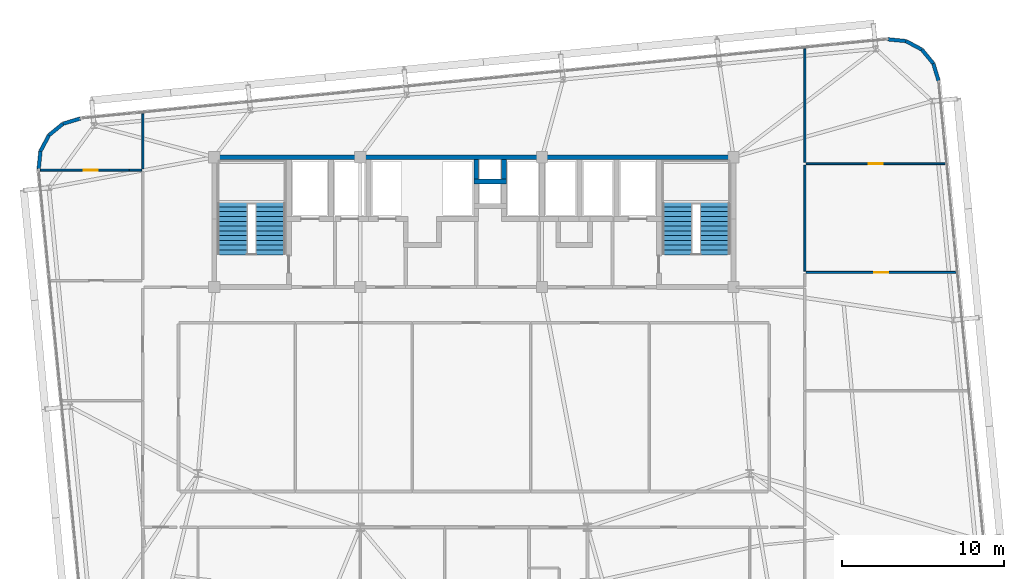
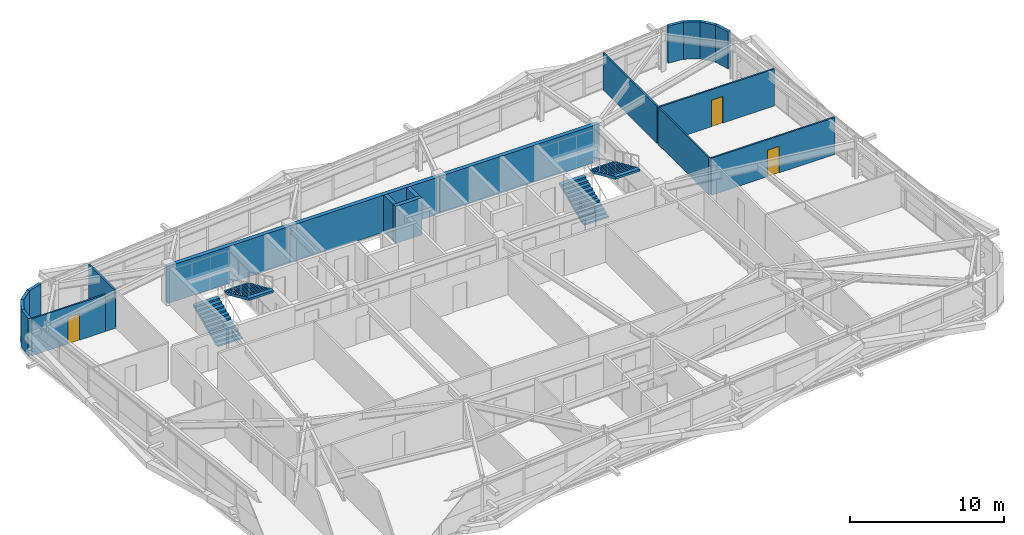
# One storey, part 49 of 52: 21 walls, 4 stair flights, 3 doors, 3 openings, 2 elements without a shape of their own.
"""IFC4 building model written with IfcOpenShell, lengths in metres."""

from ifc_helpers import new_model, si_unit, direction, frame, frame_2d, origin, place, context, subcontext, project, spatial, polyline, rectangle, outline, extrude, source, transform, mapped, material, layer, layer_set, type_object, element, fill, aggregate, save


model = new_model("IFC4")

# Units and contexts
model_context = context("Model", 3, precision=1e-05, world=origin(), true_north=direction((0.0, 1.0)))
body_context = subcontext(model_context, "Body", "Model", "MODEL_VIEW")
ifc_project = project(units=[si_unit("LENGTHUNIT", "METRE"), si_unit("AREAUNIT", "SQUARE_METRE"), si_unit("VOLUMEUNIT", "CUBIC_METRE"), si_unit("PLANEANGLEUNIT", "RADIAN"), si_unit("MASSUNIT", "GRAM", prefix="KILO")], contexts=[model_context])

# Site, building, storey
site_placement = place(None, origin())
site = spatial("IfcSite", under=ifc_project, at=site_placement, CompositionType="ELEMENT")
building_placement = place(site_placement, origin())
building = spatial("IfcBuilding", under=site, at=building_placement, Name="Taldren Reach Tower", CompositionType="ELEMENT")
storey_placement = place(building_placement, frame((0.0, 0.0, 96.60009765625)))
storey = spatial("IfcBuildingStorey", under=building, at=storey_placement, Name="L29", CompositionType="ELEMENT", Elevation=96.60009765625)

# Walls
ifc_material_1 = material(Name="Pale Champagne Anodised Aluminium Cladding", Category="aluminium")
ifc_layer_1 = layer(ifc_material_1, 0.04, Name="Pale Champagne Anodised Aluminium Cladding", Category="aluminium")
ifc_material_2 = material(Name="Mineral Wool Acoustic Insulation", Category="insulation")
ifc_layer_2 = layer(ifc_material_2, 0.06, Name="Mineral Wool Acoustic Insulation", Category="insulation")
ifc_material_3 = material(Name="Steel Gr 350 (C350L0)", Category="steel")
ifc_layer_3 = layer(ifc_material_3, 0.12, Name="Steel Gr 350 (C350L0)", Category="steel")
ifc_layer_set_1 = layer_set([ifc_layer_1, ifc_layer_2, ifc_layer_3], Name="Pale Champagne Aluminium Cladding and Steel Gr 350 Stud Framing")
wall_type_1 = type_object("IfcWallType", Name="EW-CRN-220", PredefinedType="SOLIDWALL", material=ifc_layer_set_1)
shared_shape_1 = source(origin(), body_context, "Body", "SweptSolid", [
    extrude(rectangle(XDim=1.115966796875, YDim=0.219970703125, at=frame_2d((0.55810546875, 0.0))), origin(), (0.0, 0.0, 1.0), 2.929931640625),
])
for number, where, z_axis, x_axis, name in (
    (1, (63.6376953125, 36.6982421875, 0.0), (0.0, 0.0, 1.0), (-0.289855603468, 0.957070388811, 0.0), "Rounded-corner pale-metal facade wall L29-NE1"),
    (2, (62.606689453125, 38.629150390625, 0.0), (0.0, 0.0, 1.0), (-0.881655534635, 0.471893545461, 0.0), "Rounded-corner pale-metal facade wall L29-NE3"),
    (3, (61.622802734375, 39.15576171875, 0.0), (0.0, 0.0, 1.0), (-0.995142755671, 0.09844234778, 0.0), "Rounded-corner pale-metal facade wall L29-NE4"),
    (4, (10.7509765625, 34.386474609375, 0.0), (0.0, 0.0, 1.0), (-0.957070388811, -0.289855603468, 0.0), "Rounded-corner pale-metal facade wall L29-NW1"),
):
    element("IfcWall", number, at=place(storey_placement, frame(where, z_axis=z_axis, x_axis=x_axis)), inside=storey, type_object=wall_type_1, Name=name, PredefinedType="SOLIDWALL", context=body_context, shape_type="MappedRepresentation", body=[
        mapped(shared_shape_1, transform((0.0, 0.0, 0.0), scale=1.0)),
    ])
shared_shape_2 = source(origin(), body_context, "Body", "SweptSolid", [
    extrude(rectangle(XDim=1.11572265625, YDim=0.219970703125, at=frame_2d((0.557861328125, 0.0))), origin(), (0.0, 0.0, 1.0), 2.929931640625),
])
for number, where, z_axis, x_axis, name in (
    (5, (63.314208984375, 37.766357421875, 0.0), (0.0, 0.0, 1.0), (-0.634095287989, 0.773254916409, 0.0), "Rounded-corner pale-metal facade wall L29-NE2"),
    (6, (9.682861328125, 34.06298828125, 0.0), (0.0, 0.0, 1.0), (-0.773254916409, -0.634095287989, 0.0), "Rounded-corner pale-metal facade wall L29-NW2"),
    (7, (8.29345703125, 32.371337890625, 0.0), (0.0, 0.0, 1.0), (-0.098463783145, -0.99514063499, 0.0), "Rounded-corner pale-metal facade wall L29-NW4"),
):
    element("IfcWall", number, at=place(storey_placement, frame(where, z_axis=z_axis, x_axis=x_axis)), inside=storey, type_object=wall_type_1, Name=name, PredefinedType="SOLIDWALL", context=body_context, shape_type="MappedRepresentation", body=[
        mapped(shared_shape_2, transform((0.0, 0.0, 0.0), scale=1.0)),
    ])
shared_shape_3 = source(origin(), body_context, "Body", "SweptSolid", [
    extrude(rectangle(XDim=1.1162109375, YDim=0.219970703125, at=frame_2d((0.55810546875, 0.0))), origin(), (0.0, 0.0, 1.0), 2.929931640625),
])
wall_1_placement = place(storey_placement, frame((8.820068359375, 33.35546875, 0.0), z_axis=(0.0, 0.0, 1.0), x_axis=(-0.471802540493, -0.881704237704, 0.0)))
element("IfcWall", 8, at=wall_1_placement, inside=storey, type_object=wall_type_1, Name="Rounded-corner pale-metal facade wall L29-NW3", PredefinedType="SOLIDWALL", context=body_context, shape_type="MappedRepresentation", body=[
    mapped(shared_shape_3, transform((0.0, 0.0, 0.0), scale=1.0)),
])
ifc_material_4 = material(Name="Concrete S65 (65 MPa)", Category="concrete")
ifc_layer_4 = layer(ifc_material_4, 0.300048828125)
ifc_layer_set_2 = layer_set([ifc_layer_4], Name="Concrete S65 (65 MPa)")
wall_type_2 = type_object("IfcWallType", Name="IW-CORE-300", PredefinedType="SHEAR", material=ifc_layer_set_2)
shared_shape_4 = source(origin(), body_context, "Body", "SweptSolid", [
    extrude(rectangle(XDim=9.14990234375, YDim=0.300048828125, at=frame_2d((4.574951171875, 0.0))), origin(), (0.0, 0.0, 1.0), 2.929931640625),
])
wall_2_placement = place(storey_placement, frame((18.85009765625, 32.0, 0.0), z_axis=(0.0, 0.0, 1.0), x_axis=(1.0, 0.0, 0.0)))
element("IfcWall", 9, at=wall_2_placement, inside=storey, type_object=wall_type_2, Name="Rear Core Shear Wall W-CORE-L29-NORTH1", PredefinedType="SHEAR", context=body_context, shape_type="MappedRepresentation", body=[
    mapped(shared_shape_4, transform((0.0, 0.0, 0.0), scale=1.0)),
])
shared_shape_5 = source(origin(), body_context, "Body", "SweptSolid", [
    extrude(rectangle(XDim=11.199951171875, YDim=0.300048828125, at=frame_2d((5.60009765625, 0.0))), origin(), (0.0, 0.0, 1.0), 2.929931640625),
])
wall_3_placement = place(storey_placement, frame((28.0, 32.0, 0.0), z_axis=(0.0, 0.0, 1.0), x_axis=(1.0, 0.0, 0.0)))
element("IfcWall", 10, at=wall_3_placement, inside=storey, type_object=wall_type_2, Name="Rear Core Shear Wall W-CORE-L29-NORTH2", PredefinedType="SHEAR", context=body_context, shape_type="MappedRepresentation", body=[
    mapped(shared_shape_5, transform((0.0, 0.0, 0.0), scale=1.0)),
])
shared_shape_6 = source(origin(), body_context, "Body", "SweptSolid", [
    extrude(rectangle(XDim=11.949951171875, YDim=0.300048828125, at=frame_2d((5.97509765625, 0.0))), origin(), (0.0, 0.0, 1.0), 2.929931640625),
])
wall_4_placement = place(storey_placement, frame((39.199951171875, 32.0, 0.0), z_axis=(0.0, 0.0, 1.0), x_axis=(1.0, 0.0, 0.0)))
element("IfcWall", 11, at=wall_4_placement, inside=storey, type_object=wall_type_2, Name="Rear Core Shear Wall W-CORE-L29-NORTH3", PredefinedType="SHEAR", context=body_context, shape_type="MappedRepresentation", body=[
    mapped(shared_shape_6, transform((0.0, 0.0, 0.0), scale=1.0)),
])
shared_shape_7 = source(origin(), body_context, "Body", "SweptSolid", [
    extrude(rectangle(XDim=2.0, YDim=0.300048828125, at=frame_2d((1.0, 0.0))), origin(), (0.0, 0.0, 1.0), 2.929931640625),
])
wall_5_placement = place(storey_placement, frame((35.0, 30.5, 0.0), z_axis=(0.0, 0.0, 1.0), x_axis=(1.0, 0.0, 0.0)))
element("IfcWall", 12, at=wall_5_placement, inside=storey, type_object=wall_type_2, Name="Rear Core Shear Wall W-INT-L29-015", PredefinedType="SHEAR", context=body_context, shape_type="MappedRepresentation", body=[
    mapped(shared_shape_7, transform((0.0, 0.0, 0.0), scale=1.0)),
])
shared_shape_8 = source(origin(), body_context, "Body", "SweptSolid", [
    extrude(rectangle(XDim=1.2001953125, YDim=0.300048828125, at=frame_2d((0.60009765625, 0.0))), origin(), (0.0, 0.0, 1.0), 2.929931640625),
])
for number, where, z_axis, x_axis, name in (
    (13, (35.14990234375, 31.85009765625, 0.0), (0.0, 0.0, 1.0), (0.0, -1.0, 0.0), "Rear Core Shear Wall W-INT-L29-016"),
    (14, (36.85009765625, 30.64990234375, 0.0), (0.0, 0.0, 1.0), (0.0, 1.0, 0.0), "Rear Core Shear Wall W-INT-L29-017"),
):
    element("IfcWall", number, at=place(storey_placement, frame(where, z_axis=z_axis, x_axis=x_axis)), inside=storey, type_object=wall_type_2, Name=name, PredefinedType="SHEAR", context=body_context, shape_type="MappedRepresentation", body=[
        mapped(shared_shape_8, transform((0.0, 0.0, 0.0), scale=1.0)),
    ])

# Wall, opening, door
ifc_material_5 = material(Name="Insulated Residential Stud Partition", Category="gypsum")
ifc_layer_5 = layer(ifc_material_5, 0.1201171875)
ifc_layer_set_3 = layer_set([ifc_layer_5], Name="Insulated Residential Stud Partition")
wall_type_3 = type_object("IfcWallType", Name="IW-PART-120", PredefinedType="PARTITIONING", material=ifc_layer_set_3)
shared_shape_9 = source(origin(), body_context, "Body", "SweptSolid", [
    extrude(rectangle(XDim=5.48388671875, YDim=0.1201171875, at=frame_2d((2.741943359375, 0.0))), origin(), (0.0, 0.0, 1.0), 2.929931640625),
])
wall_6_placement = place(storey_placement, frame((8.287841796875, 31.199951171875, 0.0), z_axis=(0.0, 0.0, 1.0), x_axis=(1.0, 0.0, 0.0)))
wall_6 = element("IfcWall", 15, at=wall_6_placement, inside=storey, type_object=wall_type_3, Name="Interior Partition Wall W-INT-L29-093", PredefinedType="PARTITIONING", context=body_context, shape_type="MappedRepresentation", body=[
    mapped(shared_shape_9, transform((0.0, 0.0, 0.0), scale=1.0)),
])
shared_shape_10 = source(origin(), body_context, "Body", "SweptSolid", [
    extrude(rectangle(XDim=0.860107421875, YDim=2.10009765625, at=frame_2d((0.43017578125, 1.050048828125))), frame((0.0, 0.070068359375, 0.0), z_axis=(0.0, -1.0, 0.0), x_axis=(1.0, 0.0, 0.0)), (0.0, 0.0, 1.0), 0.14013671875),
])
opening_1_placement = place(wall_6_placement, frame((2.68603515625, 0.0, 0.0)))
opening_1 = element("IfcOpeningElement", 16, at=opening_1_placement, cuts=wall_6, Name="Opening DI-086", PredefinedType="OPENING", context=body_context, shape_type="MappedRepresentation", body=[
    mapped(shared_shape_10, transform((0.0, 0.0, 0.0), scale=1.0)),
])
ifc_material_6 = material(Name="Timber Bathroom Door", Category="wood")
door_type = type_object("IfcDoorType", Name="ID-INT-086", OperationType="NOTDEFINED", PredefinedType="DOOR", material=ifc_material_6)
shared_shape_11 = source(origin(), body_context, "Body", "SweptSolid", [
    extrude(rectangle(XDim=0.860107421875, YDim=2.10009765625, at=frame_2d((0.43017578125, 1.050048828125))), frame((0.0, 0.02490234375, 0.0), z_axis=(0.0, -1.0, 0.0), x_axis=(1.0, 0.0, 0.0)), (0.0, 0.0, 1.0), 0.050048828125),
])
door_1_placement = place(opening_1_placement, origin())
door_1 = element("IfcDoor", 17, at=door_1_placement, inside=storey, type_object=door_type, Name="Interior Door DR-L29-028", OperationType="SINGLE_SWING_LEFT", OverallHeight=2.10009765625, OverallWidth=0.860107421875, PredefinedType="DOOR", context=body_context, shape_type="MappedRepresentation", body=[
    mapped(shared_shape_11, transform((0.0, 0.0, 0.0), scale=1.0)),
])
fill(opening_1, door_1)

# Walls
shared_shape_12 = source(origin(), body_context, "Body", "SweptSolid", [
    extrude(rectangle(XDim=0.748291015625, YDim=0.1201171875, at=frame_2d((0.3740234375, 0.0))), origin(), (0.0, 0.0, 1.0), 2.39697265625),
])
wall_7_placement = place(storey_placement, frame((13.771728515625, 31.199951171875, 0.0), z_axis=(0.0, 0.0, 1.0), x_axis=(1.0, 0.0, 0.0)))
element("IfcWall", 18, at=wall_7_placement, inside=storey, type_object=wall_type_3, Name="Interior Partition Wall W-INT-L29-093 part 2", PredefinedType="PARTITIONING", context=body_context, shape_type="MappedRepresentation", body=[
    mapped(shared_shape_12, transform((0.0, 0.0, 0.0), scale=1.0)),
])
shared_shape_13 = source(origin(), body_context, "Body", "SweptSolid", [
    extrude(rectangle(XDim=3.385498046875, YDim=0.1201171875, at=frame_2d((1.69287109375, 0.0))), origin(), (0.0, 0.0, 1.0), 2.929931640625),
])
wall_8_placement = place(storey_placement, frame((14.60009765625, 34.66552734375, 0.0), z_axis=(0.0, 0.0, 1.0), x_axis=(0.0, -1.0, 0.0)))
element("IfcWall", 19, at=wall_8_placement, inside=storey, type_object=wall_type_3, Name="Interior Partition Wall W-INT-L29-095", PredefinedType="PARTITIONING", context=body_context, shape_type="MappedRepresentation", body=[
    mapped(shared_shape_13, transform((0.0, 0.0, 0.0), scale=1.0)),
])

# Wall, opening, door
shared_shape_14 = source(origin(), body_context, "Body", "SweptSolid", [
    extrude(rectangle(XDim=9.23193359375, YDim=0.1201171875, at=frame_2d((4.615966796875, 0.0))), origin(), (0.0, 0.0, 1.0), 2.929931640625),
])
wall_9_placement = place(storey_placement, frame((55.47998046875, 24.89990234375, 0.0), z_axis=(0.0, 0.0, 1.0), x_axis=(1.0, 0.0, 0.0)))
wall_9 = element("IfcWall", 20, at=wall_9_placement, inside=storey, type_object=wall_type_3, Name="Interior Partition Wall W-INT-L29-097", PredefinedType="PARTITIONING", context=body_context, shape_type="MappedRepresentation", body=[
    mapped(shared_shape_14, transform((0.0, 0.0, 0.0), scale=1.0)),
])
opening_2_placement = place(wall_9_placement, frame((4.18603515625, 0.0, 0.0)))
opening_2 = element("IfcOpeningElement", 21, at=opening_2_placement, cuts=wall_9, Name="Opening DI-086", PredefinedType="OPENING", context=body_context, shape_type="MappedRepresentation", body=[
    mapped(shared_shape_10, transform((0.0, 0.0, 0.0), scale=1.0)),
])
door_2_placement = place(opening_2_placement, origin())
door_2 = element("IfcDoor", 22, at=door_2_placement, inside=storey, type_object=door_type, Name="Interior Door DR-L29-029", OperationType="SINGLE_SWING_RIGHT", OverallHeight=2.10009765625, OverallWidth=0.860107421875, PredefinedType="DOOR", context=body_context, shape_type="MappedRepresentation", body=[
    mapped(shared_shape_11, transform((0.0, 0.0, 0.0), scale=1.0)),
])
fill(opening_2, door_2)

shared_shape_15 = source(origin(), body_context, "Body", "SweptSolid", [
    extrude(rectangle(XDim=8.574951171875, YDim=0.1201171875, at=frame_2d((4.28759765625, 0.0))), origin(), (0.0, 0.0, 1.0), 2.929931640625),
])
wall_10_placement = place(storey_placement, frame((55.47998046875, 31.60009765625, 0.0), z_axis=(0.0, 0.0, 1.0), x_axis=(1.0, 0.0, 0.0)))
wall_10 = element("IfcWall", 23, at=wall_10_placement, inside=storey, type_object=wall_type_3, Name="Interior Partition Wall W-INT-L29-099", PredefinedType="PARTITIONING", context=body_context, shape_type="MappedRepresentation", body=[
    mapped(shared_shape_15, transform((0.0, 0.0, 0.0), scale=1.0)),
])
opening_3_placement = place(wall_10_placement, frame((3.857421875, 0.0, 0.0)))
opening_3 = element("IfcOpeningElement", 24, at=opening_3_placement, cuts=wall_10, Name="Opening DI-086", PredefinedType="OPENING", context=body_context, shape_type="MappedRepresentation", body=[
    mapped(shared_shape_10, transform((0.0, 0.0, 0.0), scale=1.0)),
])
door_3_placement = place(opening_3_placement, frame((0.860107421875, 0.0, 0.0), z_axis=(0.0, 0.0, 1.0), x_axis=(-1.0, 0.0, 0.0)))
door_3 = element("IfcDoor", 25, at=door_3_placement, inside=storey, type_object=door_type, Name="Interior Door DR-L29-030", OperationType="SINGLE_SWING_RIGHT", OverallHeight=2.10009765625, OverallWidth=0.860107421875, PredefinedType="DOOR", context=body_context, shape_type="MappedRepresentation", body=[
    mapped(shared_shape_11, transform((0.0, 0.0, 0.0), scale=1.0)),
])
fill(opening_3, door_3)

# Walls
shared_shape_16 = source(origin(), body_context, "Body", "SweptSolid", [
    extrude(rectangle(XDim=6.5400390625, YDim=0.1201171875, at=frame_2d((3.27001953125, 0.0))), origin(), (0.0, 0.0, 1.0), 2.929931640625),
])
wall_11_placement = place(storey_placement, frame((55.39990234375, 24.97998046875, 0.0), z_axis=(0.0, 0.0, 1.0), x_axis=(0.0, 1.0, 0.0)))
element("IfcWall", 26, at=wall_11_placement, inside=storey, type_object=wall_type_3, Name="Interior Partition Wall W-INT-L29-100", PredefinedType="PARTITIONING", context=body_context, shape_type="MappedRepresentation", body=[
    mapped(shared_shape_16, transform((0.0, 0.0, 0.0), scale=1.0)),
])
shared_shape_17 = source(origin(), body_context, "Body", "SweptSolid", [
    extrude(rectangle(XDim=7.001708984375, YDim=0.1201171875, at=frame_2d((3.5009765625, 0.0))), origin(), (0.0, 0.0, 1.0), 2.929931640625),
])
wall_12_placement = place(storey_placement, frame((55.39990234375, 31.679931640625, 0.0), z_axis=(0.0, 0.0, 1.0), x_axis=(0.0, 1.0, 0.0)))
element("IfcWall", 27, at=wall_12_placement, inside=storey, type_object=wall_type_3, Name="Interior Partition Wall W-INT-L29-101", PredefinedType="PARTITIONING", context=body_context, shape_type="MappedRepresentation", body=[
    mapped(shared_shape_17, transform((0.0, 0.0, 0.0), scale=1.0)),
])

# Stair, stair flights
ifc_material_7 = material(Name="Concrete S50 (50 MPa)", Category="concrete")
stair_type = type_object("IfcStairType", Name="ST-HT-315", PredefinedType="HALF_TURN_STAIR", material=ifc_material_7)
stair_1_placement = place(storey_placement, origin())
stair_1 = element("IfcStair", 28, at=stair_1_placement, inside=storey, type_object=stair_type, Name="Fire-isolated exit stair ST1 L29", PredefinedType="HALF_TURN_STAIR")
stair_flight_type = type_object("IfcStairFlightType", Name="SF-STR-315", PredefinedType="STRAIGHT", material=ifc_material_7)
stair_flight_1_placement = place(storey_placement, frame((20.139892578125, 25.989990234375, 0.0), z_axis=(0.0, 0.0, 1.0), x_axis=(0.0, 1.0, 0.0)))
stair_flight_1 = element("IfcStairFlight", 29, at=stair_flight_1_placement, type_object=stair_flight_type, Name="ST1 flight 1", NumberOfRisers=12, NumberOfTreads=11, PredefinedType="STRAIGHT", RiserHeight=0.13125, TreadLength=0.295, context=body_context, shape_type="SweptSolid", body=[
    extrude(outline(polyline([(0.0, 0.0), (0.0, 0.13134765625), (0.294921875, 0.13134765625), (0.294921875, 0.262451171875), (0.590087890625, 0.262451171875), (0.590087890625, 0.393798828125), (0.885009765625, 0.393798828125), (0.885009765625, 0.52490234375), (1.179931640625, 0.52490234375), (1.179931640625, 0.65625), (1.47509765625, 0.65625), (1.47509765625, 0.78759765625), (1.77001953125, 0.78759765625), (1.77001953125, 0.918701171875), (2.06494140625, 0.918701171875), (2.06494140625, 1.050048828125), (2.360107421875, 1.050048828125), (2.360107421875, 1.18115234375), (2.655029296875, 1.18115234375), (2.655029296875, 1.3125), (2.949951171875, 1.3125), (2.949951171875, 1.44384765625), (3.2451171875, 1.44384765625), (3.2451171875, 1.574951171875), (3.2451171875, 1.268798828125), (0.393310546875, 0.0), (0.0, 0.0)])), frame((0.0, 0.919921875, 0.0), z_axis=(0.0, -1.0, 0.0), x_axis=(1.0, 0.0, 0.0)), (0.0, 0.0, 1.0), 1.840087890625),
])
stair_flight_2_placement = place(storey_placement, frame((22.4599609375, 29.235107421875, 1.574951171875), z_axis=(0.0, 0.0, 1.0), x_axis=(0.0, -1.0, 0.0)))
stair_flight_2 = element("IfcStairFlight", 30, at=stair_flight_2_placement, type_object=stair_flight_type, Name="ST1 flight 2", NumberOfRisers=12, NumberOfTreads=11, PredefinedType="STRAIGHT", RiserHeight=0.13125, TreadLength=0.295, context=body_context, shape_type="SweptSolid", body=[
    extrude(outline(polyline([(0.0, 0.0), (0.0, 0.13134765625), (0.294921875, 0.13134765625), (0.294921875, 0.262451171875), (0.590087890625, 0.262451171875), (0.590087890625, 0.393798828125), (0.885009765625, 0.393798828125), (0.885009765625, 0.52490234375), (1.179931640625, 0.52490234375), (1.179931640625, 0.65625), (1.47509765625, 0.65625), (1.47509765625, 0.78759765625), (1.77001953125, 0.78759765625), (1.77001953125, 0.918701171875), (2.06494140625, 0.918701171875), (2.06494140625, 1.050048828125), (2.360107421875, 1.050048828125), (2.360107421875, 1.18115234375), (2.655029296875, 1.18115234375), (2.655029296875, 1.3125), (2.949951171875, 1.3125), (2.949951171875, 1.44384765625), (3.2451171875, 1.44384765625), (3.2451171875, 1.574951171875), (3.2451171875, 1.268798828125), (0.393310546875, 0.0), (0.0, 0.0)])), frame((0.0, 0.919921875, 0.0), z_axis=(0.0, -1.0, 0.0), x_axis=(1.0, 0.0, 0.0)), (0.0, 0.0, 1.0), 1.840087890625),
])
aggregate(stair_1, [stair_flight_1, stair_flight_2])

stair_2_placement = place(storey_placement, origin())
stair_2 = element("IfcStair", 31, at=stair_2_placement, inside=storey, type_object=stair_type, Name="Fire-isolated exit stair ST2 L29", PredefinedType="HALF_TURN_STAIR")
stair_flight_3_placement = place(storey_placement, frame((47.5400390625, 25.989990234375, 0.0), z_axis=(0.0, 0.0, 1.0), x_axis=(0.0, 1.0, 0.0)))
stair_flight_3 = element("IfcStairFlight", 32, at=stair_flight_3_placement, type_object=stair_flight_type, Name="ST2 flight 1", NumberOfRisers=12, NumberOfTreads=11, PredefinedType="STRAIGHT", RiserHeight=0.13125, TreadLength=0.295, context=body_context, shape_type="SweptSolid", body=[
    extrude(outline(polyline([(0.0, 0.0), (0.0, 0.13134765625), (0.294921875, 0.13134765625), (0.294921875, 0.262451171875), (0.590087890625, 0.262451171875), (0.590087890625, 0.393798828125), (0.885009765625, 0.393798828125), (0.885009765625, 0.52490234375), (1.179931640625, 0.52490234375), (1.179931640625, 0.65625), (1.47509765625, 0.65625), (1.47509765625, 0.78759765625), (1.77001953125, 0.78759765625), (1.77001953125, 0.918701171875), (2.06494140625, 0.918701171875), (2.06494140625, 1.050048828125), (2.360107421875, 1.050048828125), (2.360107421875, 1.18115234375), (2.655029296875, 1.18115234375), (2.655029296875, 1.3125), (2.949951171875, 1.3125), (2.949951171875, 1.44384765625), (3.2451171875, 1.44384765625), (3.2451171875, 1.574951171875), (3.2451171875, 1.268798828125), (0.393310546875, 0.0), (0.0, 0.0)])), frame((0.0, 0.919921875, 0.0), z_axis=(0.0, -1.0, 0.0), x_axis=(1.0, 0.0, 0.0)), (0.0, 0.0, 1.0), 1.840087890625),
])
stair_flight_4_placement = place(storey_placement, frame((49.860107421875, 29.235107421875, 1.574951171875), z_axis=(0.0, 0.0, 1.0), x_axis=(0.0, -1.0, 0.0)))
stair_flight_4 = element("IfcStairFlight", 33, at=stair_flight_4_placement, type_object=stair_flight_type, Name="ST2 flight 2", NumberOfRisers=12, NumberOfTreads=11, PredefinedType="STRAIGHT", RiserHeight=0.13125, TreadLength=0.295, context=body_context, shape_type="SweptSolid", body=[
    extrude(outline(polyline([(0.0, 0.0), (0.0, 0.13134765625), (0.294921875, 0.13134765625), (0.294921875, 0.262451171875), (0.590087890625, 0.262451171875), (0.590087890625, 0.393798828125), (0.885009765625, 0.393798828125), (0.885009765625, 0.52490234375), (1.179931640625, 0.52490234375), (1.179931640625, 0.65625), (1.47509765625, 0.65625), (1.47509765625, 0.78759765625), (1.77001953125, 0.78759765625), (1.77001953125, 0.918701171875), (2.06494140625, 0.918701171875), (2.06494140625, 1.050048828125), (2.360107421875, 1.050048828125), (2.360107421875, 1.18115234375), (2.655029296875, 1.18115234375), (2.655029296875, 1.3125), (2.949951171875, 1.3125), (2.949951171875, 1.44384765625), (3.2451171875, 1.44384765625), (3.2451171875, 1.574951171875), (3.2451171875, 1.268798828125), (0.393310546875, 0.0), (0.0, 0.0)])), frame((0.0, 0.919921875, 0.0), z_axis=(0.0, -1.0, 0.0), x_axis=(1.0, 0.0, 0.0)), (0.0, 0.0, 1.0), 1.840087890625),
])
aggregate(stair_2, [stair_flight_3, stair_flight_4])

save(model, "model.ifc")
